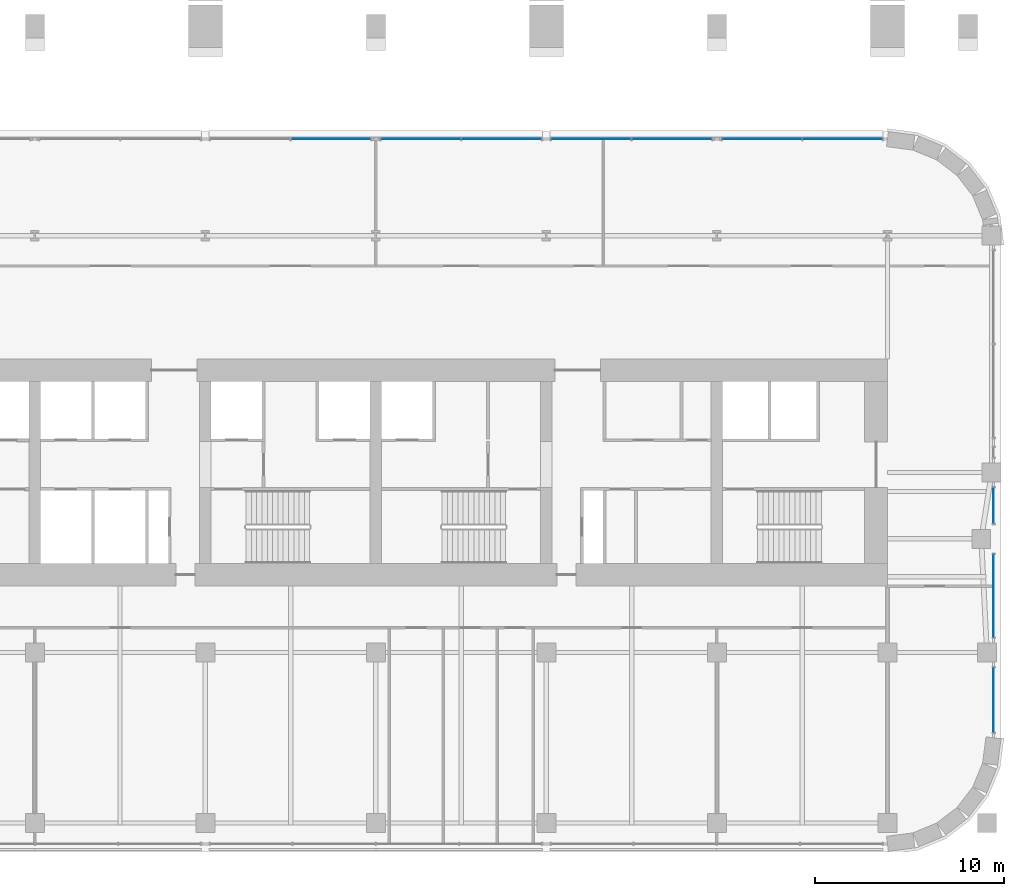
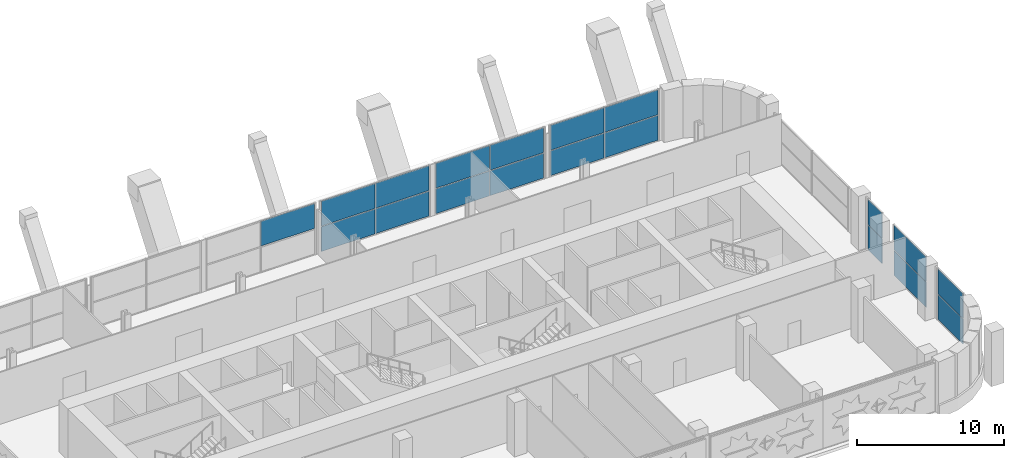
# One storey, part 14 of 24: 19 plates, 7 elements without a shape of their own.
"""IFC4 building model written with IfcOpenShell, lengths in metres."""

from ifc_helpers import new_model, si_unit, direction, frame, origin, origin_2d, place, context, subcontext, project, spatial, rectangle, extrude, material, layer, layer_set, type_object, element, aggregate, save


model = new_model("IFC4")

# Units and contexts
model_context = context("Model", 3, precision=1e-05, world=origin(), true_north=direction((0.0, 1.0)))
body_context = subcontext(model_context, "Body", "Model", "MODEL_VIEW")
ifc_project = project(units=[si_unit("LENGTHUNIT", "METRE"), si_unit("AREAUNIT", "SQUARE_METRE"), si_unit("VOLUMEUNIT", "CUBIC_METRE"), si_unit("PLANEANGLEUNIT", "RADIAN"), si_unit("MASSUNIT", "GRAM", prefix="KILO")], contexts=[model_context])

# Site, building, storey
site_placement = place(None, origin())
site = spatial("IfcSite", under=ifc_project, at=site_placement, CompositionType="ELEMENT")
building_placement = place(site_placement, origin())
building = spatial("IfcBuilding", under=site, at=building_placement, Name="Zellij Exchange Tower", CompositionType="ELEMENT")
storey_placement = place(building_placement, frame((0.0, 0.0, 48.0)))
storey = spatial("IfcBuildingStorey", under=building, at=storey_placement, Name="L08", CompositionType="ELEMENT", Elevation=48.0)

# Curtain wall, plates
ifc_material_1 = material(Name="Aluminium frame, clear insulating glass", Category="aluminium")
curtain_wall_type = type_object("IfcCurtainWallType", Name="ENV-CW1 Sky-garden glazing", PredefinedType="NOTDEFINED", material=ifc_material_1)
curtain_wall_1_placement = place(storey_placement, origin())
curtain_wall_1 = element("IfcCurtainWall", 1, at=curtain_wall_1_placement, inside=storey, type_object=curtain_wall_type, Name="cw.L08.07a", PredefinedType="NOTDEFINED")
ifc_material_2 = material(Name="Insulating glass unit, clear", Category="glass")
ifc_layer = layer(ifc_material_2, 0.031982421875)
ifc_layer_set = layer_set([ifc_layer], Name="Insulating glass unit, clear")
plate_type = type_object("IfcPlateType", Name="ENV-CW1P Glazed panel 32", PredefinedType="CURTAIN_PANEL", material=ifc_layer_set)
plate_1_placement = place(storey_placement, frame((32.60009765625, -20.011962890625, 0.06005859375), z_axis=(0.0, 0.0, 1.0), x_axis=(0.0, 1.0, 0.0)))
plate_1 = element("IfcPlate", 2, at=plate_1_placement, type_object=plate_type, Name="CW1 panel 1.1", PredefinedType="CURTAIN_PANEL", context=body_context, shape_type="SweptSolid", body=[
    extrude(rectangle(XDim=3.40380859375, YDim=0.031982421875, at=origin_2d()), origin(), (0.0, 0.0, 1.0), 2.06005859375),
])
plate_2_placement = place(storey_placement, frame((32.60009765625, -20.011962890625, 2.179931640625), z_axis=(0.0, 0.0, 1.0), x_axis=(0.0, 1.0, 0.0)))
plate_2 = element("IfcPlate", 3, at=plate_2_placement, type_object=plate_type, Name="CW1 panel 1.2", PredefinedType="CURTAIN_PANEL", context=body_context, shape_type="SweptSolid", body=[
    extrude(rectangle(XDim=3.40380859375, YDim=0.031982421875, at=origin_2d()), origin(), (0.0, 0.0, 1.0), 2.06005859375),
])
aggregate(curtain_wall_1, [plate_1, plate_2])

curtain_wall_2_placement = place(storey_placement, origin())
curtain_wall_2 = element("IfcCurtainWall", 4, at=curtain_wall_2_placement, inside=storey, type_object=curtain_wall_type, Name="cw.L08.07b", PredefinedType="NOTDEFINED")
plate_3_placement = place(storey_placement, frame((32.60009765625, -14.5, 0.06005859375), z_axis=(0.0, 0.0, 1.0), x_axis=(0.0, 1.0, 0.0)))
plate_3 = element("IfcPlate", 5, at=plate_3_placement, type_object=plate_type, Name="CW1 panel 1.1", PredefinedType="CURTAIN_PANEL", context=body_context, shape_type="SweptSolid", body=[
    extrude(rectangle(XDim=4.3798828125, YDim=0.031982421875, at=origin_2d()), origin(), (0.0, 0.0, 1.0), 2.06005859375),
])
plate_4_placement = place(storey_placement, frame((32.60009765625, -14.5, 2.179931640625), z_axis=(0.0, 0.0, 1.0), x_axis=(0.0, 1.0, 0.0)))
plate_4 = element("IfcPlate", 6, at=plate_4_placement, type_object=plate_type, Name="CW1 panel 1.2", PredefinedType="CURTAIN_PANEL", context=body_context, shape_type="SweptSolid", body=[
    extrude(rectangle(XDim=4.3798828125, YDim=0.031982421875, at=origin_2d()), origin(), (0.0, 0.0, 1.0), 2.06005859375),
])
aggregate(curtain_wall_2, [plate_3, plate_4])

curtain_wall_3_placement = place(storey_placement, origin())
curtain_wall_3 = element("IfcCurtainWall", 7, at=curtain_wall_3_placement, inside=storey, type_object=curtain_wall_type, Name="cw.L08.07c", PredefinedType="NOTDEFINED")
plate_5_placement = place(storey_placement, frame((32.60009765625, -9.75, 0.06005859375), z_axis=(0.0, 0.0, 1.0), x_axis=(0.0, 1.0, 0.0)))
plate_5 = element("IfcPlate", 8, at=plate_5_placement, type_object=plate_type, Name="CW1 panel 1.1", PredefinedType="CURTAIN_PANEL", context=body_context, shape_type="SweptSolid", body=[
    extrude(rectangle(XDim=1.8798828125, YDim=0.031982421875, at=origin_2d()), origin(), (0.0, 0.0, 1.0), 2.06005859375),
])
plate_6_placement = place(storey_placement, frame((32.60009765625, -9.75, 2.179931640625), z_axis=(0.0, 0.0, 1.0), x_axis=(0.0, 1.0, 0.0)))
plate_6 = element("IfcPlate", 9, at=plate_6_placement, type_object=plate_type, Name="CW1 panel 1.2", PredefinedType="CURTAIN_PANEL", context=body_context, shape_type="SweptSolid", body=[
    extrude(rectangle(XDim=1.8798828125, YDim=0.031982421875, at=origin_2d()), origin(), (0.0, 0.0, 1.0), 2.06005859375),
])
aggregate(curtain_wall_3, [plate_5, plate_6])

curtain_wall_4_placement = place(storey_placement, origin())
curtain_wall_4 = element("IfcCurtainWall", 10, at=curtain_wall_4_placement, inside=storey, type_object=curtain_wall_type, Name="cw.L08.14a.a", PredefinedType="NOTDEFINED")
plate_7_placement = place(storey_placement, frame((24.618896484375, 9.60009765625, 0.06005859375), z_axis=(0.0, 0.0, 1.0), x_axis=(-1.0, 0.0, 0.0)))
plate_7 = element("IfcPlate", 11, at=plate_7_placement, type_object=plate_type, Name="CW1 panel 1.1", PredefinedType="CURTAIN_PANEL", context=body_context, shape_type="SweptSolid", body=[
    extrude(rectangle(XDim=4.189697265625, YDim=0.031982421875, at=origin_2d()), origin(), (0.0, 0.0, 1.0), 2.06005859375),
])
plate_8_placement = place(storey_placement, frame((24.618896484375, 9.60009765625, 2.179931640625), z_axis=(0.0, 0.0, 1.0), x_axis=(-1.0, 0.0, 0.0)))
plate_8 = element("IfcPlate", 12, at=plate_8_placement, type_object=plate_type, Name="CW1 panel 1.2", PredefinedType="CURTAIN_PANEL", context=body_context, shape_type="SweptSolid", body=[
    extrude(rectangle(XDim=4.189697265625, YDim=0.031982421875, at=origin_2d()), origin(), (0.0, 0.0, 1.0), 2.06005859375),
])
plate_9_placement = place(storey_placement, frame((20.369384765625, 9.60009765625, 0.06005859375), z_axis=(0.0, 0.0, 1.0), x_axis=(-1.0, 0.0, 0.0)))
plate_9 = element("IfcPlate", 13, at=plate_9_placement, type_object=plate_type, Name="CW1 panel 2.1", PredefinedType="CURTAIN_PANEL", context=body_context, shape_type="SweptSolid", body=[
    extrude(rectangle(XDim=4.189697265625, YDim=0.031982421875, at=origin_2d()), origin(), (0.0, 0.0, 1.0), 2.06005859375),
])
plate_10_placement = place(storey_placement, frame((20.369384765625, 9.60009765625, 2.179931640625), z_axis=(0.0, 0.0, 1.0), x_axis=(-1.0, 0.0, 0.0)))
plate_10 = element("IfcPlate", 14, at=plate_10_placement, type_object=plate_type, Name="CW1 panel 2.2", PredefinedType="CURTAIN_PANEL", context=body_context, shape_type="SweptSolid", body=[
    extrude(rectangle(XDim=4.189697265625, YDim=0.031982421875, at=origin_2d()), origin(), (0.0, 0.0, 1.0), 2.06005859375),
])
aggregate(curtain_wall_4, [plate_7, plate_8, plate_9, plate_10])

curtain_wall_5_placement = place(storey_placement, origin())
curtain_wall_5 = element("IfcCurtainWall", 15, at=curtain_wall_5_placement, inside=storey, type_object=curtain_wall_type, Name="cw.L08.14a.b", PredefinedType="NOTDEFINED")
plate_11_placement = place(storey_placement, frame((15.6240234375, 9.60009765625, 0.06005859375), z_axis=(0.0, 0.0, 1.0), x_axis=(-1.0, 0.0, 0.0)))
plate_11 = element("IfcPlate", 16, at=plate_11_placement, type_object=plate_type, Name="CW1 panel 1.1", PredefinedType="CURTAIN_PANEL", context=body_context, shape_type="SweptSolid", body=[
    extrude(rectangle(XDim=4.20263671875, YDim=0.031982421875, at=origin_2d()), origin(), (0.0, 0.0, 1.0), 2.06005859375),
])
plate_12_placement = place(storey_placement, frame((15.6240234375, 9.60009765625, 2.179931640625), z_axis=(0.0, 0.0, 1.0), x_axis=(-1.0, 0.0, 0.0)))
plate_12 = element("IfcPlate", 17, at=plate_12_placement, type_object=plate_type, Name="CW1 panel 1.2", PredefinedType="CURTAIN_PANEL", context=body_context, shape_type="SweptSolid", body=[
    extrude(rectangle(XDim=4.20263671875, YDim=0.031982421875, at=origin_2d()), origin(), (0.0, 0.0, 1.0), 2.06005859375),
])
plate_13_placement = place(storey_placement, frame((11.361328125, 9.60009765625, 0.06005859375), z_axis=(0.0, 0.0, 1.0), x_axis=(-1.0, 0.0, 0.0)))
plate_13 = element("IfcPlate", 18, at=plate_13_placement, type_object=plate_type, Name="CW1 panel 2.1", PredefinedType="CURTAIN_PANEL", context=body_context, shape_type="SweptSolid", body=[
    extrude(rectangle(XDim=4.20263671875, YDim=0.031982421875, at=origin_2d()), origin(), (0.0, 0.0, 1.0), 2.06005859375),
])
plate_14_placement = place(storey_placement, frame((11.361328125, 9.60009765625, 2.179931640625), z_axis=(0.0, 0.0, 1.0), x_axis=(-1.0, 0.0, 0.0)))
plate_14 = element("IfcPlate", 19, at=plate_14_placement, type_object=plate_type, Name="CW1 panel 2.2", PredefinedType="CURTAIN_PANEL", context=body_context, shape_type="SweptSolid", body=[
    extrude(rectangle(XDim=4.20263671875, YDim=0.031982421875, at=origin_2d()), origin(), (0.0, 0.0, 1.0), 2.06005859375),
])
aggregate(curtain_wall_5, [plate_11, plate_12, plate_13, plate_14])

curtain_wall_6_placement = place(storey_placement, origin())
curtain_wall_6 = element("IfcCurtainWall", 20, at=curtain_wall_6_placement, inside=storey, type_object=curtain_wall_type, Name="cw.L08.14b.a", PredefinedType="NOTDEFINED")
plate_15_placement = place(storey_placement, frame((6.638671875, 9.60009765625, 0.06005859375), z_axis=(0.0, 0.0, 1.0), x_axis=(-1.0, 0.0, 0.0)))
plate_15 = element("IfcPlate", 21, at=plate_15_placement, type_object=plate_type, Name="CW1 panel 1.1", PredefinedType="CURTAIN_PANEL", context=body_context, shape_type="SweptSolid", body=[
    extrude(rectangle(XDim=4.20263671875, YDim=0.031982421875, at=origin_2d()), origin(), (0.0, 0.0, 1.0), 2.06005859375),
])
plate_16_placement = place(storey_placement, frame((6.638671875, 9.60009765625, 2.179931640625), z_axis=(0.0, 0.0, 1.0), x_axis=(-1.0, 0.0, 0.0)))
plate_16 = element("IfcPlate", 22, at=plate_16_placement, type_object=plate_type, Name="CW1 panel 1.2", PredefinedType="CURTAIN_PANEL", context=body_context, shape_type="SweptSolid", body=[
    extrude(rectangle(XDim=4.20263671875, YDim=0.031982421875, at=origin_2d()), origin(), (0.0, 0.0, 1.0), 2.06005859375),
])
plate_17_placement = place(storey_placement, frame((2.3759765625, 9.60009765625, 0.06005859375), z_axis=(0.0, 0.0, 1.0), x_axis=(-1.0, 0.0, 0.0)))
plate_17 = element("IfcPlate", 23, at=plate_17_placement, type_object=plate_type, Name="CW1 panel 2.1", PredefinedType="CURTAIN_PANEL", context=body_context, shape_type="SweptSolid", body=[
    extrude(rectangle(XDim=4.20263671875, YDim=0.031982421875, at=origin_2d()), origin(), (0.0, 0.0, 1.0), 2.06005859375),
])
plate_18_placement = place(storey_placement, frame((2.3759765625, 9.60009765625, 2.179931640625), z_axis=(0.0, 0.0, 1.0), x_axis=(-1.0, 0.0, 0.0)))
plate_18 = element("IfcPlate", 24, at=plate_18_placement, type_object=plate_type, Name="CW1 panel 2.2", PredefinedType="CURTAIN_PANEL", context=body_context, shape_type="SweptSolid", body=[
    extrude(rectangle(XDim=4.20263671875, YDim=0.031982421875, at=origin_2d()), origin(), (0.0, 0.0, 1.0), 2.06005859375),
])
aggregate(curtain_wall_6, [plate_15, plate_16, plate_17, plate_18])

# Curtain wall, plate
curtain_wall_7_placement = place(storey_placement, origin())
curtain_wall_7 = element("IfcCurtainWall", 25, at=curtain_wall_7_placement, inside=storey, type_object=curtain_wall_type, Name="cw.L08.14b.b", PredefinedType="NOTDEFINED")
plate_19_placement = place(storey_placement, frame((-2.3759765625, 9.60009765625, 2.179931640625), z_axis=(0.0, 0.0, 1.0), x_axis=(-1.0, 0.0, 0.0)))
plate_19 = element("IfcPlate", 26, at=plate_19_placement, type_object=plate_type, Name="CW1 panel 1.2", PredefinedType="CURTAIN_PANEL", context=body_context, shape_type="SweptSolid", body=[
    extrude(rectangle(XDim=4.20263671875, YDim=0.031982421875, at=origin_2d()), origin(), (0.0, 0.0, 1.0), 2.06005859375),
])
aggregate(curtain_wall_7, [plate_19])

save(model, "model.ifc")
